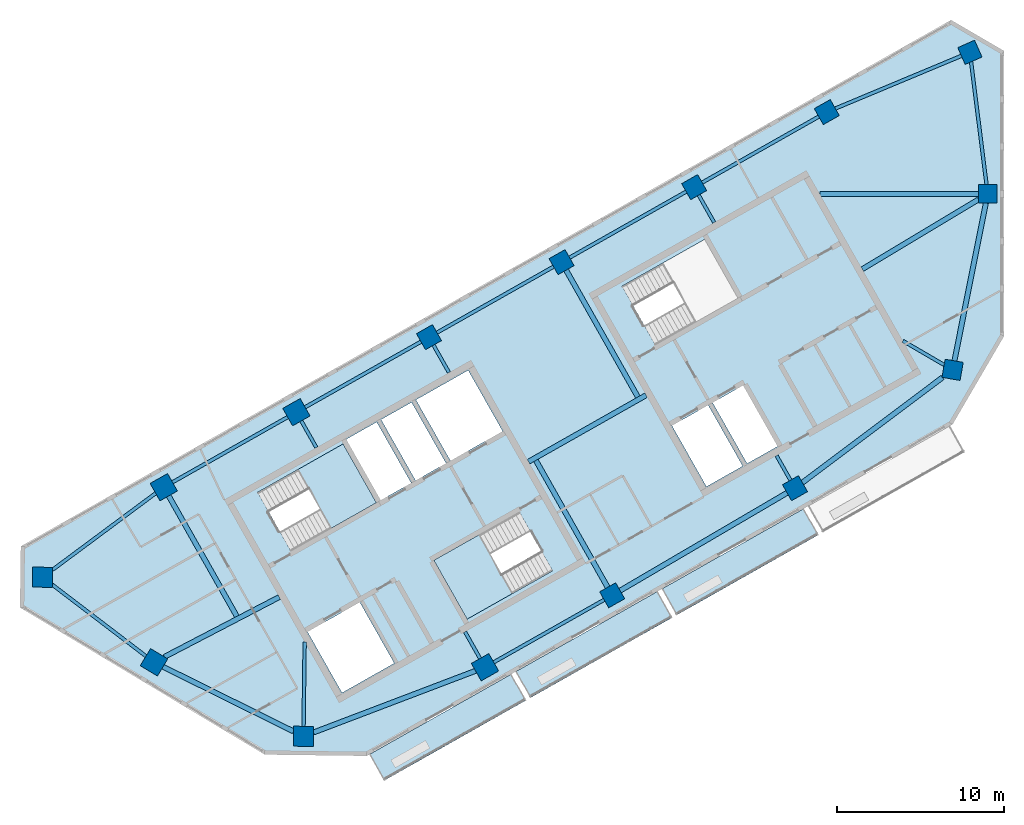
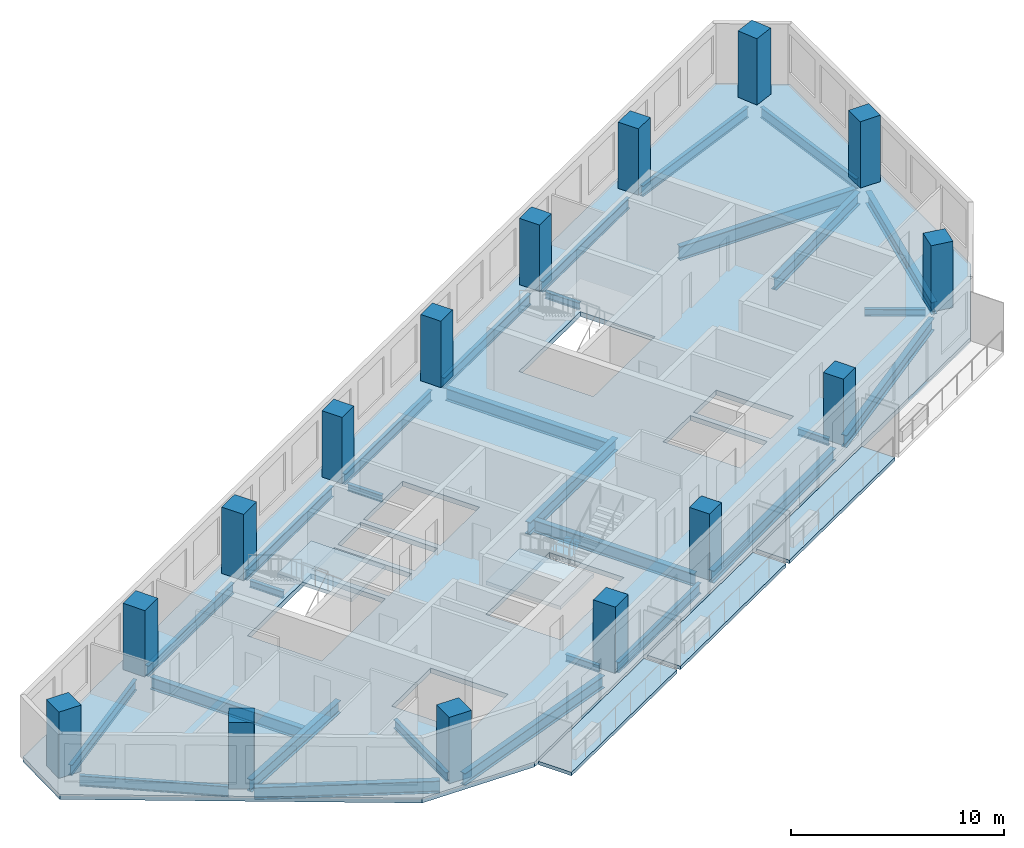
# One storey, part 1 of 7: 29 beams, 15 columns, 6 slabs, 2 elements without a shape of their own.
"""IFC4 building model written with IfcOpenShell, lengths in metres."""

from ifc_helpers import new_model, si_unit, direction, frame, origin, origin_2d, place, context, subcontext, project, spatial, polyline, rectangle, i_section, outline, extrude, material, layer, layer_set, material_profile, profile_set, type_object, element, aggregate, save


model = new_model("IFC4")

# Units and contexts
model_context = context("Model", 3, precision=1e-05, world=origin(), true_north=direction((0.0, 1.0)))
body_context = subcontext(model_context, "Body", "Model", "MODEL_VIEW")
ifc_project = project(units=[si_unit("LENGTHUNIT", "METRE"), si_unit("AREAUNIT", "SQUARE_METRE"), si_unit("VOLUMEUNIT", "CUBIC_METRE"), si_unit("PLANEANGLEUNIT", "RADIAN"), si_unit("MASSUNIT", "GRAM", prefix="KILO")], contexts=[model_context])

# Site, building, storey
site_placement = place(None, origin())
site = spatial("IfcSite", under=ifc_project, at=site_placement, CompositionType="ELEMENT")
building_placement = place(site_placement, origin())
building = spatial("IfcBuilding", under=site, at=building_placement, Name="Binnacle Exchange Tower", CompositionType="ELEMENT")
storey_placement = place(building_placement, frame((0.0, 0.0, 296.89990234375)))
storey = spatial("IfcBuildingStorey", under=building, at=storey_placement, Name="L66", CompositionType="ELEMENT", Elevation=296.89990234375)

# Columns
ifc_material_1 = material(Name="Concrete C60/75", Category="concrete")
ifc_material_profile_1 = material_profile(ifc_material_1, rectangle(XDim=1.10009765625, YDim=1.10009765625, at=origin_2d()), Name="Mega column 1100x1100 C60/75")
ifc_profile_set_1 = profile_set([ifc_material_profile_1], Name="Concrete C60/75")
column_type_1 = type_object("IfcColumnType", Name="Mega column 1100x1100 C60/75", PredefinedType="COLUMN", material=ifc_profile_set_1)
for number, where, z_axis, x_axis, name in (
    (1, (-10.4951171875, 64.901611328125, 0.0), (0.0, 0.0, 1.0), (-0.87035569594, -0.492423560103, 0.0), "S:COL:MC38:L66"),
    (2, (-18.44140625, 60.406005859375, 0.0), (0.0, 0.0, 1.0), (-0.87035569594, -0.492423560103, 0.0), "S:COL:MC29:L66"),
    (3, (-26.3876953125, 55.91015625, 0.0), (0.0, 0.0, 1.0), (-0.87035569594, -0.492423560103, 0.0), "S:COL:MC21:L66"),
    (4, (-34.333740234375, 51.414306640625, 0.0), (0.0, 0.0, 1.0), (-0.87035569594, -0.492423560103, 0.0), "S:COL:MC13:L66"),
    (5, (-23.35595703125, 35.9462890625, 0.0), (0.0, 0.0, 1.0), (0.87035569594, 0.492423560103, 0.0), "S:COL:MC16:L66"),
    (6, (-2.955322265625, 49.45556640625, 0.0), (0.0, 0.0, 1.0), (-0.98522612636, 0.171258517854, 0.0), "S:COL:MC43:L66"),
    (7, (-0.85009765625, 60.0, 0.0), (0.0, 0.0, 1.0), (0.0, 1.0, 0.0), "S:COL:MC45:L66"),
    (8, (-1.920166015625, 68.4833984375, 0.0), (0.0, 0.0, 1.0), (-0.91471298536, -0.40410413808, 0.0), "S:COL:MC44:L66"),
    (9, (-12.39990234375, 42.36328125, 0.0), (0.0, 0.0, 1.0), (0.87035569594, 0.492423560103, 0.0), "S:COL:MC30:L66"),
):
    element("IfcColumn", number, at=place(storey_placement, frame(where, z_axis=z_axis, x_axis=x_axis)), inside=storey, type_object=column_type_1, Name=name, PredefinedType="COLUMN", context=body_context, shape_type="SweptSolid", body=[
        extrude(rectangle(XDim=1.10009765625, YDim=1.10009765625, at=origin_2d()), origin(), (0.0, 0.0, 1.0), 3.800048828125),
    ])
ifc_material_profile_2 = material_profile(ifc_material_1, rectangle(XDim=1.199951171875, YDim=1.199951171875, at=origin_2d()), Name="Mega column 1200x1200 C60/75")
ifc_profile_set_2 = profile_set([ifc_material_profile_2], Name="Concrete C60/75")
column_type_2 = type_object("IfcColumnType", Name="Mega column 1200x1200 C60/75", PredefinedType="COLUMN", material=ifc_profile_set_2)
for number, where, z_axis, x_axis, name in (
    (10, (-42.280029296875, 46.918701171875, 0.0), (0.0, 0.0, 1.0), (-0.87035569594, -0.492423560103, 0.0), "S:COL:MC08:L66"),
    (11, (-50.226318359375, 42.4228515625, 0.0), (0.0, 0.0, 1.0), (-0.87035569594, -0.492423560103, 0.0), "S:COL:MC04:L66"),
    (12, (-57.492919921875, 37.02734375, 0.0), (0.0, 0.0, 1.0), (-0.013089595571, -0.999914327574, 0.0), "S:COL:MC02:L66"),
    (13, (-50.81201171875, 31.930908203125, 0.0), (0.0, 0.0, 1.0), (0.857167300702, -0.51503807491, 0.0), "S:COL:MC01:L66"),
    (14, (-41.857666015625, 27.494873046875, 0.0), (0.0, 0.0, 1.0), (0.999914327574, -0.013089595571, 0.0), "S:COL:MC03:L66"),
    (15, (-30.9755859375, 31.63525390625, 0.0), (0.0, 0.0, 1.0), (0.87035569594, 0.492423560103, 0.0), "S:COL:MC07:L66"),
):
    element("IfcColumn", number, at=place(storey_placement, frame(where, z_axis=z_axis, x_axis=x_axis)), inside=storey, type_object=column_type_2, Name=name, PredefinedType="COLUMN", context=body_context, shape_type="SweptSolid", body=[
        extrude(rectangle(XDim=1.199951171875, YDim=1.199951171875, at=origin_2d()), origin(), (0.0, 0.0, 1.0), 3.800048828125),
    ])

# Beams
ifc_material_2 = material(Name="Steel S355 (SHN355)", Category="steel")
ifc_material_profile_3 = material_profile(ifc_material_2, i_section(OverallWidth=0.199951171875, OverallDepth=0.60009765625, WebThickness=0.010986328125, FlangeThickness=0.01708984375, FilletRadius=0.02197265625, at=origin_2d()), Name="H 600x200x11x17")
ifc_profile_set_3 = profile_set([ifc_material_profile_3], Name="Steel S355 (SHN355)")
beam_type_1 = type_object("IfcBeamType", Name="Edge girder H 600x200x11x17 Steel S355 (SHN355)", PredefinedType="SPANDREL", material=ifc_profile_set_3)
beam_1_placement = place(storey_placement, frame((-56.89892578125, 36.57421875, -0.579833984375), z_axis=(0.795079526259, -0.606505191176, 0.0), x_axis=(0.606505191176, 0.795079526259, 0.0)))
element("IfcBeam", 16, at=beam_1_placement, inside=storey, type_object=beam_type_1, Name="S:BM:edge:L66:004", PredefinedType="SPANDREL", context=body_context, shape_type="SweptSolid", body=[
    extrude(i_section(OverallWidth=0.199951171875, OverallDepth=0.60009765625, WebThickness=0.010986328125, FlangeThickness=0.01708984375, FilletRadius=0.02197265625, at=origin_2d()), origin(), (0.0, 0.0, 1.0), 7.052001953125),
])
ifc_material_profile_4 = material_profile(ifc_material_2, i_section(OverallWidth=0.200927734375, OverallDepth=0.60595703125, WebThickness=0.011962890625, FlangeThickness=0.02001953125, FilletRadius=0.02197265625, at=origin_2d()), Name="H 606x201x12x20")
ifc_profile_set_4 = profile_set([ifc_material_profile_4], Name="Steel S355 (SHN355)")
beam_type_2 = type_object("IfcBeamType", Name="Edge girder H 606x201x12x20 Steel S355 (SHN355)", PredefinedType="SPANDREL", material=ifc_profile_set_4)
beam_2_placement = place(storey_placement, frame((-50.711669921875, 42.0625, -0.5830078125), z_axis=(-0.802889255085, -0.596128211099, 0.0), x_axis=(0.596128211099, -0.802889255085, 0.0)))
element("IfcBeam", 17, at=beam_2_placement, inside=storey, type_object=beam_type_2, Name="S:BM:edge:L66:005", PredefinedType="SPANDREL", context=body_context, shape_type="SweptSolid", body=[
    extrude(i_section(OverallWidth=0.200927734375, OverallDepth=0.60595703125, WebThickness=0.011962890625, FlangeThickness=0.02001953125, FilletRadius=0.02197265625, at=origin_2d()), origin(), (0.0, 0.0, 1.0), 7.691650390625),
])
beam_3_placement = place(storey_placement, frame((-30.453369140625, 31.930908203125, -0.5830078125), z_axis=(0.870370831478, 0.49239680717, 0.0), x_axis=(-0.49239680717, 0.870370831478, 0.0)))
element("IfcBeam", 18, at=beam_3_placement, inside=storey, type_object=beam_type_2, Name="S:BM:edge:L66:010", PredefinedType="SPANDREL", context=body_context, shape_type="SweptSolid", body=[
    extrude(i_section(OverallWidth=0.200927734375, OverallDepth=0.60595703125, WebThickness=0.011962890625, FlangeThickness=0.02001953125, FilletRadius=0.02197265625, at=origin_2d()), origin(), (0.0, 0.0, 1.0), 7.6044921875),
])
beam_4_placement = place(storey_placement, frame((-0.91943359375, 60.550048828125, -0.5830078125), z_axis=(-0.125160121745, 0.992136555079, 0.0), x_axis=(-0.992136555079, -0.125160121745, 0.0)))
element("IfcBeam", 19, at=beam_4_placement, inside=storey, type_object=beam_type_2, Name="S:BM:edge:L66:018", PredefinedType="SPANDREL", context=body_context, shape_type="SweptSolid", body=[
    extrude(i_section(OverallWidth=0.200927734375, OverallDepth=0.60595703125, WebThickness=0.011962890625, FlangeThickness=0.02001953125, FilletRadius=0.02197265625, at=origin_2d()), origin(), (0.0, 0.0, 1.0), 7.422119140625),
])
ifc_material_profile_5 = material_profile(ifc_material_2, i_section(OverallWidth=0.201904296875, OverallDepth=0.612060546875, WebThickness=0.012939453125, FlangeThickness=0.02294921875, FilletRadius=0.02197265625, at=origin_2d()), Name="H 612x202x13x23")
ifc_profile_set_5 = profile_set([ifc_material_profile_5], Name="Steel S355 (SHN355)")
beam_type_3 = type_object("IfcBeamType", Name="Edge girder H 612x202x13x23 Steel S355 (SHN355)", PredefinedType="SPANDREL", material=ifc_profile_set_5)
beam_5_placement = place(storey_placement, frame((-42.80224609375, 46.623291015625, -0.5859375), z_axis=(-0.870360926906, -0.492414314288, 0.0), x_axis=(0.492414314288, -0.870360926906, 0.0)))
element("IfcBeam", 20, at=beam_5_placement, inside=storey, type_object=beam_type_3, Name="S:BM:edge:L66:007", PredefinedType="SPANDREL", context=body_context, shape_type="SweptSolid", body=[
    extrude(i_section(OverallWidth=0.201904296875, OverallDepth=0.612060546875, WebThickness=0.012939453125, FlangeThickness=0.02294921875, FilletRadius=0.02197265625, at=origin_2d()), origin(), (0.0, 0.0, 1.0), 7.929931640625),
])
beam_6_placement = place(storey_placement, frame((-34.8125, 51.1435546875, -0.5859375), z_axis=(-0.870357059543, -0.492421149935, 0.0), x_axis=(0.492421149935, -0.870357059543, 0.0)))
element("IfcBeam", 21, at=beam_6_placement, inside=storey, type_object=beam_type_3, Name="S:BM:edge:L66:009", PredefinedType="SPANDREL", context=body_context, shape_type="SweptSolid", body=[
    extrude(i_section(OverallWidth=0.201904296875, OverallDepth=0.612060546875, WebThickness=0.012939453125, FlangeThickness=0.02294921875, FilletRadius=0.02197265625, at=origin_2d()), origin(), (0.0, 0.0, 1.0), 7.979736328125),
])
beam_7_placement = place(storey_placement, frame((-26.8662109375, 55.639404296875, -0.5859375), z_axis=(-0.870353240257, -0.492427900482, 0.0), x_axis=(0.492427900482, -0.870353240257, 0.0)))
element("IfcBeam", 22, at=beam_7_placement, inside=storey, type_object=beam_type_3, Name="S:BM:edge:L66:011", PredefinedType="SPANDREL", context=body_context, shape_type="SweptSolid", body=[
    extrude(i_section(OverallWidth=0.201904296875, OverallDepth=0.612060546875, WebThickness=0.012939453125, FlangeThickness=0.02294921875, FilletRadius=0.02197265625, at=origin_2d()), origin(), (0.0, 0.0, 1.0), 8.02978515625),
])
beam_8_placement = place(storey_placement, frame((-18.919921875, 60.13525390625, -0.5859375), z_axis=(-0.870347582166, -0.492437900875, 0.0), x_axis=(0.492437900875, -0.870347582166, 0.0)))
element("IfcBeam", 23, at=beam_8_placement, inside=storey, type_object=beam_type_3, Name="S:BM:edge:L66:013", PredefinedType="SPANDREL", context=body_context, shape_type="SweptSolid", body=[
    extrude(i_section(OverallWidth=0.201904296875, OverallDepth=0.612060546875, WebThickness=0.012939453125, FlangeThickness=0.02294921875, FilletRadius=0.02197265625, at=origin_2d()), origin(), (0.0, 0.0, 1.0), 8.030029296875),
])
beam_9_placement = place(storey_placement, frame((-10.973876953125, 64.630859375, -0.5859375), z_axis=(-0.870353240257, -0.492427900482, 0.0), x_axis=(0.492427900482, -0.870353240257, 0.0)))
element("IfcBeam", 24, at=beam_9_placement, inside=storey, type_object=beam_type_3, Name="S:BM:edge:L66:015", PredefinedType="SPANDREL", context=body_context, shape_type="SweptSolid", body=[
    extrude(i_section(OverallWidth=0.201904296875, OverallDepth=0.612060546875, WebThickness=0.012939453125, FlangeThickness=0.02294921875, FilletRadius=0.02197265625, at=origin_2d()), origin(), (0.0, 0.0, 1.0), 8.02978515625),
])
beam_10_placement = place(storey_placement, frame((-2.427734375, 68.271240234375, -0.5859375), z_axis=(-0.922746687756, -0.385406992977, 0.0), x_axis=(0.385406992977, -0.922746687756, 0.0)))
element("IfcBeam", 25, at=beam_10_placement, inside=storey, type_object=beam_type_3, Name="S:BM:edge:L66:017", PredefinedType="SPANDREL", context=body_context, shape_type="SweptSolid", body=[
    extrude(i_section(OverallWidth=0.201904296875, OverallDepth=0.612060546875, WebThickness=0.012939453125, FlangeThickness=0.02294921875, FilletRadius=0.02197265625, at=origin_2d()), origin(), (0.0, 0.0, 1.0), 8.188720703125),
])
ifc_material_profile_6 = material_profile(ifc_material_2, i_section(OverallWidth=0.300048828125, OverallDepth=0.699951171875, WebThickness=0.012939453125, FlangeThickness=0.02392578125, FilletRadius=0.028076171875, at=origin_2d()), Name="H 700x300x13x24")
ifc_profile_set_6 = profile_set([ifc_material_profile_6], Name="Steel S355 (SHN355)")
beam_type_4 = type_object("IfcBeamType", Name="Edge girder H 700x300x13x24 Steel S355 (SHN355)", PredefinedType="SPANDREL", material=ifc_profile_set_6)
beam_11_placement = place(storey_placement, frame((-50.272705078125, 31.663818359375, -0.6298828125), z_axis=(0.896066323919, -0.443920199066, 0.0), x_axis=(0.443920199066, 0.896066323919, 0.0)))
element("IfcBeam", 26, at=beam_11_placement, inside=storey, type_object=beam_type_4, Name="S:BM:edge:L66:006", PredefinedType="SPANDREL", context=body_context, shape_type="SweptSolid", body=[
    extrude(i_section(OverallWidth=0.300048828125, OverallDepth=0.699951171875, WebThickness=0.012939453125, FlangeThickness=0.02392578125, FilletRadius=0.028076171875, at=origin_2d()), origin(), (0.0, 0.0, 1.0), 8.725830078125),
])
beam_12_placement = place(storey_placement, frame((-41.254638671875, 27.724365234375, -0.6298828125), z_axis=(0.934635421438, 0.355607408519, 0.0), x_axis=(-0.355607408519, 0.934635421438, 0.0)))
element("IfcBeam", 27, at=beam_12_placement, inside=storey, type_object=beam_type_4, Name="S:BM:edge:L66:008", PredefinedType="SPANDREL", context=body_context, shape_type="SweptSolid", body=[
    extrude(i_section(OverallWidth=0.300048828125, OverallDepth=0.699951171875, WebThickness=0.012939453125, FlangeThickness=0.02392578125, FilletRadius=0.028076171875, at=origin_2d()), origin(), (0.0, 0.0, 1.0), 10.390869140625),
])
beam_13_placement = place(storey_placement, frame((-11.95654296875, 42.6962890625, -0.6298828125), z_axis=(0.799642767002, 0.600476015493, 0.0), x_axis=(-0.600476015493, 0.799642767002, 0.0)))
element("IfcBeam", 28, at=beam_13_placement, inside=storey, type_object=beam_type_4, Name="S:BM:edge:L66:014", PredefinedType="SPANDREL", context=body_context, shape_type="SweptSolid", body=[
    extrude(i_section(OverallWidth=0.300048828125, OverallDepth=0.699951171875, WebThickness=0.012939453125, FlangeThickness=0.02392578125, FilletRadius=0.028076171875, at=origin_2d()), origin(), (0.0, 0.0, 1.0), 10.50146484375),
])
beam_14_placement = place(storey_placement, frame((-2.84765625, 49.9951171875, -0.6298828125), z_axis=(0.195814210945, 0.980641012191, 0.0), x_axis=(-0.980641012191, 0.195814210945, 0.0)))
element("IfcBeam", 29, at=beam_14_placement, inside=storey, type_object=beam_type_4, Name="S:BM:edge:L66:016", PredefinedType="SPANDREL", context=body_context, shape_type="SweptSolid", body=[
    extrude(i_section(OverallWidth=0.300048828125, OverallDepth=0.699951171875, WebThickness=0.012939453125, FlangeThickness=0.02392578125, FilletRadius=0.028076171875, at=origin_2d()), origin(), (0.0, 0.0, 1.0), 9.6416015625),
])
ifc_material_profile_7 = material_profile(ifc_material_2, i_section(OverallWidth=0.302001953125, OverallDepth=0.7080078125, WebThickness=0.014892578125, FlangeThickness=0.028076171875, FilletRadius=0.028076171875, at=origin_2d()), Name="H 708x302x15x28")
ifc_profile_set_7 = profile_set([ifc_material_profile_7], Name="Steel S355 (SHN355)")
beam_type_5 = type_object("IfcBeamType", Name="Edge girder H 708x302x15x28 Steel S355 (SHN355)", PredefinedType="SPANDREL", material=ifc_profile_set_7)
beam_15_placement = place(storey_placement, frame((-22.88134765625, 36.22412109375, -0.6337890625), z_axis=(0.86288572191, 0.50539908085, 0.0), x_axis=(-0.50539908085, 0.86288572191, 0.0)))
element("IfcBeam", 30, at=beam_15_placement, inside=storey, type_object=beam_type_5, Name="S:BM:edge:L66:012", PredefinedType="SPANDREL", context=body_context, shape_type="SweptSolid", body=[
    extrude(i_section(OverallWidth=0.302001953125, OverallDepth=0.7080078125, WebThickness=0.014892578125, FlangeThickness=0.028076171875, FilletRadius=0.028076171875, at=origin_2d()), origin(), (0.0, 0.0, 1.0), 11.596923828125),
])
ifc_material_profile_8 = material_profile(ifc_material_2, i_section(OverallWidth=0.199951171875, OverallDepth=0.39990234375, WebThickness=0.008056640625, FlangeThickness=0.012939453125, FilletRadius=0.01611328125, at=origin_2d()), Name="H 400x200x8x13")
ifc_profile_set_8 = profile_set([ifc_material_profile_8], Name="Steel S355 (SHN355)")
beam_type_6 = type_object("IfcBeamType", Name="Floor beam H 400x200x8x13 Steel S355 (SHN355)", PredefinedType="BEAM", material=ifc_profile_set_8)
beam_16_placement = place(storey_placement, frame((-41.984619140625, 46.396484375, -0.47998046875), z_axis=(0.492465079532, -0.87033220407, 0.0), x_axis=(0.87033220407, 0.492465079532, 0.0)))
element("IfcBeam", 31, at=beam_16_placement, inside=storey, type_object=beam_type_6, Name="S:BM:cross:L66:020", PredefinedType="BEAM", context=body_context, shape_type="SweptSolid", body=[
    extrude(i_section(OverallWidth=0.199951171875, OverallDepth=0.39990234375, WebThickness=0.008056640625, FlangeThickness=0.012939453125, FilletRadius=0.01611328125, at=origin_2d()), origin(), (0.0, 0.0, 1.0), 1.834228515625),
])
beam_17_placement = place(storey_placement, frame((-34.06298828125, 50.935791015625, -0.47998046875), z_axis=(0.492437150105, -0.870348006947, 0.0), x_axis=(0.870348006947, 0.492437150105, 0.0)))
element("IfcBeam", 32, at=beam_17_placement, inside=storey, type_object=beam_type_6, Name="S:BM:cross:L66:022", PredefinedType="BEAM", context=body_context, shape_type="SweptSolid", body=[
    extrude(i_section(OverallWidth=0.199951171875, OverallDepth=0.39990234375, WebThickness=0.008056640625, FlangeThickness=0.012939453125, FilletRadius=0.01611328125, at=origin_2d()), origin(), (0.0, 0.0, 1.0), 1.884521484375),
])
beam_18_placement = place(storey_placement, frame((-31.27099609375, 32.157470703125, -0.47998046875), z_axis=(-0.492465079532, 0.87033220407, 0.0), x_axis=(-0.87033220407, -0.492465079532, 0.0)))
element("IfcBeam", 33, at=beam_18_placement, inside=storey, type_object=beam_type_6, Name="S:BM:cross:L66:023", PredefinedType="BEAM", context=body_context, shape_type="SweptSolid", body=[
    extrude(i_section(OverallWidth=0.199951171875, OverallDepth=0.39990234375, WebThickness=0.008056640625, FlangeThickness=0.012939453125, FilletRadius=0.01611328125, at=origin_2d()), origin(), (0.0, 0.0, 1.0), 1.834228515625),
])
beam_19_placement = place(storey_placement, frame((-18.17041015625, 59.92724609375, -0.47998046875), z_axis=(0.492394529663, -0.870372119934, 0.0), x_axis=(0.870372119934, 0.492394529663, 0.0)))
element("IfcBeam", 34, at=beam_19_placement, inside=storey, type_object=beam_type_6, Name="S:BM:cross:L66:026", PredefinedType="BEAM", context=body_context, shape_type="SweptSolid", body=[
    extrude(i_section(OverallWidth=0.199951171875, OverallDepth=0.39990234375, WebThickness=0.008056640625, FlangeThickness=0.012939453125, FilletRadius=0.01611328125, at=origin_2d()), origin(), (0.0, 0.0, 1.0), 1.884033203125),
])
beam_20_placement = place(storey_placement, frame((-12.6708984375, 42.841796875, -0.47998046875), z_axis=(-0.492394350893, 0.870372221069, 0.0), x_axis=(-0.870372221069, -0.492394350893, 0.0)))
element("IfcBeam", 35, at=beam_20_placement, inside=storey, type_object=beam_type_6, Name="S:BM:cross:L66:027", PredefinedType="BEAM", context=body_context, shape_type="SweptSolid", body=[
    extrude(i_section(OverallWidth=0.199951171875, OverallDepth=0.39990234375, WebThickness=0.008056640625, FlangeThickness=0.012939453125, FilletRadius=0.01611328125, at=origin_2d()), origin(), (0.0, 0.0, 1.0), 1.6943359375),
])
beam_21_placement = place(storey_placement, frame((-3.46240234375, 49.751220703125, -0.47998046875), z_axis=(-0.863840862356, 0.503764790874, 0.0), x_axis=(-0.503764790874, -0.863840862356, 0.0)))
element("IfcBeam", 36, at=beam_21_placement, inside=storey, type_object=beam_type_6, Name="S:BM:cross:L66:028", PredefinedType="BEAM", context=body_context, shape_type="SweptSolid", body=[
    extrude(i_section(OverallWidth=0.199951171875, OverallDepth=0.39990234375, WebThickness=0.008056640625, FlangeThickness=0.012939453125, FilletRadius=0.01611328125, at=origin_2d()), origin(), (0.0, 0.0, 1.0), 2.85791015625),
])
ifc_material_profile_9 = material_profile(ifc_material_2, i_section(OverallWidth=0.200927734375, OverallDepth=0.506103515625, WebThickness=0.010986328125, FlangeThickness=0.01904296875, FilletRadius=0.02001953125, at=origin_2d()), Name="H 506x201x11x19")
ifc_profile_set_9 = profile_set([ifc_material_profile_9], Name="Steel S355 (SHN355)")
beam_type_7 = type_object("IfcBeamType", Name="Floor beam H 506x201x11x19 Steel S355 (SHN355)", PredefinedType="BEAM", material=ifc_profile_set_9)
beam_22_placement = place(storey_placement, frame((-41.849853515625, 28.0947265625, -0.532958984375), z_axis=(0.013099523714, 0.999914197558, 0.0), x_axis=(-0.999914197558, 0.013099523714, 0.0)))
element("IfcBeam", 37, at=beam_22_placement, inside=storey, type_object=beam_type_7, Name="S:BM:cross:L66:021", PredefinedType="BEAM", context=body_context, shape_type="SweptSolid", body=[
    extrude(i_section(OverallWidth=0.200927734375, OverallDepth=0.506103515625, WebThickness=0.010986328125, FlangeThickness=0.01904296875, FilletRadius=0.02001953125, at=origin_2d()), origin(), (0.0, 0.0, 1.0), 5.05078125),
])
ifc_material_profile_10 = material_profile(ifc_material_2, i_section(OverallWidth=0.300048828125, OverallDepth=0.699951171875, WebThickness=0.012939453125, FlangeThickness=0.02392578125, FilletRadius=0.028076171875, at=origin_2d()), Name="H 700x300x13x24")
ifc_profile_set_10 = profile_set([ifc_material_profile_10], Name="Steel S355 (SHN355)")
beam_type_8 = type_object("IfcBeamType", Name="Floor beam H 700x300x13x24 Steel S355 (SHN355)", PredefinedType="BEAM", material=ifc_profile_set_10)
beam_23_placement = place(storey_placement, frame((-49.9306640625, 41.900634765625, -0.6298828125), z_axis=(0.492421066821, -0.870357106566, 0.0), x_axis=(0.870357106566, 0.492421066821, 0.0)))
element("IfcBeam", 38, at=beam_23_placement, inside=storey, type_object=beam_type_8, Name="S:BM:cross:L66:019", PredefinedType="BEAM", context=body_context, shape_type="SweptSolid", body=[
    extrude(i_section(OverallWidth=0.300048828125, OverallDepth=0.699951171875, WebThickness=0.012939453125, FlangeThickness=0.02392578125, FilletRadius=0.028076171875, at=origin_2d()), origin(), (0.0, 0.0, 1.0), 8.291259765625),
])
ifc_material_profile_11 = material_profile(ifc_material_2, i_section(OverallWidth=0.302001953125, OverallDepth=0.7080078125, WebThickness=0.014892578125, FlangeThickness=0.028076171875, FilletRadius=0.028076171875, at=origin_2d()), Name="H 708x302x15x28")
ifc_profile_set_11 = profile_set([ifc_material_profile_11], Name="Steel S355 (SHN355)")
beam_type_9 = type_object("IfcBeamType", Name="Floor beam H 708x302x15x28 Steel S355 (SHN355)", PredefinedType="BEAM", material=ifc_profile_set_11)
beam_24_placement = place(storey_placement, frame((-26.11669921875, 55.431396484375, -0.6337890625), z_axis=(0.492413671625, -0.870361290497, 0.0), x_axis=(0.870361290497, 0.492413671625, 0.0)))
element("IfcBeam", 39, at=beam_24_placement, inside=storey, type_object=beam_type_9, Name="S:BM:cross:L66:024", PredefinedType="BEAM", context=body_context, shape_type="SweptSolid", body=[
    extrude(i_section(OverallWidth=0.302001953125, OverallDepth=0.7080078125, WebThickness=0.014892578125, FlangeThickness=0.028076171875, FilletRadius=0.028076171875, at=origin_2d()), origin(), (0.0, 0.0, 1.0), 8.734130859375),
])
beam_25_placement = place(storey_placement, frame((-23.626708984375, 36.4248046875, -0.6337890625), z_axis=(-0.492422866295, 0.870356088477, 0.0), x_axis=(-0.870356088477, -0.492422866295, 0.0)))
element("IfcBeam", 40, at=beam_25_placement, inside=storey, type_object=beam_type_9, Name="S:BM:cross:L66:025", PredefinedType="BEAM", context=body_context, shape_type="SweptSolid", body=[
    extrude(i_section(OverallWidth=0.302001953125, OverallDepth=0.7080078125, WebThickness=0.014892578125, FlangeThickness=0.028076171875, FilletRadius=0.028076171875, at=origin_2d()), origin(), (0.0, 0.0, 1.0), 8.734375),
])
ifc_material_profile_12 = material_profile(ifc_material_2, i_section(OverallWidth=0.300048828125, OverallDepth=0.800048828125, WebThickness=0.013916015625, FlangeThickness=0.02587890625, FilletRadius=0.028076171875, at=origin_2d()), Name="H 800x300x14x26")
ifc_profile_set_12 = profile_set([ifc_material_profile_12], Name="Steel S355 (SHN355)")
beam_type_10 = type_object("IfcBeamType", Name="Floor beam H 800x300x14x26 Steel S355 (SHN355)", PredefinedType="BEAM", material=ifc_profile_set_12)
beam_26_placement = place(storey_placement, frame((-1.39990234375, 60.0, -0.679931640625), z_axis=(-1.0, 0.0, 0.0), x_axis=(0.0, -1.0, 0.0)))
element("IfcBeam", 41, at=beam_26_placement, inside=storey, type_object=beam_type_10, Name="S:BM:cross:L66:029", PredefinedType="BEAM", context=body_context, shape_type="SweptSolid", body=[
    extrude(i_section(OverallWidth=0.300048828125, OverallDepth=0.800048828125, WebThickness=0.013916015625, FlangeThickness=0.02587890625, FilletRadius=0.028076171875, at=origin_2d()), origin(), (0.0, 0.0, 1.0), 9.51513671875),
])
ifc_material_profile_13 = material_profile(ifc_material_2, i_section(OverallWidth=0.300048828125, OverallDepth=0.699951171875, WebThickness=0.012939453125, FlangeThickness=0.02392578125, FilletRadius=0.028076171875, at=origin_2d()), Name="H 700x300x13x24")
ifc_profile_set_13 = profile_set([ifc_material_profile_13], Name="Steel S355 (SHN355)")
beam_type_11 = type_object("IfcBeamType", Name="Spine girder H 700x300x13x24 Steel S355 (SHN355)", PredefinedType="BEAM", material=ifc_profile_set_13)
beam_27_placement = place(storey_placement, frame((-50.18798828125, 32.255859375, -0.6298828125), z_axis=(0.886980159322, 0.461807532387, 0.0), x_axis=(-0.461807532387, 0.886980159322, 0.0)))
element("IfcBeam", 42, at=beam_27_placement, inside=storey, type_object=beam_type_11, Name="S:BM:spine:L66:001", PredefinedType="BEAM", context=body_context, shape_type="SweptSolid", body=[
    extrude(i_section(OverallWidth=0.300048828125, OverallDepth=0.699951171875, WebThickness=0.012939453125, FlangeThickness=0.02392578125, FilletRadius=0.028076171875, at=origin_2d()), origin(), (0.0, 0.0, 1.0), 7.757080078125),
])
beam_28_placement = place(storey_placement, frame((-8.36328125, 55.489990234375, -0.6298828125), z_axis=(0.857389464427, 0.514668151618, 0.0), x_axis=(-0.514668151618, 0.857389464427, 0.0)))
element("IfcBeam", 43, at=beam_28_placement, inside=storey, type_object=beam_type_11, Name="S:BM:spine:L66:003", PredefinedType="BEAM", context=body_context, shape_type="SweptSolid", body=[
    extrude(i_section(OverallWidth=0.300048828125, OverallDepth=0.699951171875, WebThickness=0.012939453125, FlangeThickness=0.02392578125, FilletRadius=0.028076171875, at=origin_2d()), origin(), (0.0, 0.0, 1.0), 8.12158203125),
])
ifc_material_profile_14 = material_profile(ifc_material_2, i_section(OverallWidth=0.302001953125, OverallDepth=0.7080078125, WebThickness=0.014892578125, FlangeThickness=0.028076171875, FilletRadius=0.028076171875, at=origin_2d()), Name="H 708x302x15x28")
ifc_profile_set_14 = profile_set([ifc_material_profile_14], Name="Steel S355 (SHN355)")
beam_type_12 = type_object("IfcBeamType", Name="Spine girder H 708x302x15x28 Steel S355 (SHN355)", PredefinedType="BEAM", material=ifc_profile_set_14)
beam_29_placement = place(storey_placement, frame((-28.365478515625, 43.951416015625, -0.6337890625), z_axis=(0.870350319004, 0.492433063684, 0.0), x_axis=(-0.492433063684, 0.870350319004, 0.0)))
element("IfcBeam", 44, at=beam_29_placement, inside=storey, type_object=beam_type_12, Name="S:BM:spine:L66:002", PredefinedType="BEAM", context=body_context, shape_type="SweptSolid", body=[
    extrude(i_section(OverallWidth=0.302001953125, OverallDepth=0.7080078125, WebThickness=0.014892578125, FlangeThickness=0.028076171875, FilletRadius=0.028076171875, at=origin_2d()), origin(), (0.0, 0.0, 1.0), 8.0908203125),
])

# Slabs
ifc_material_3 = material(Name="Concrete C35/45", Category="concrete")
ifc_layer_1 = layer(ifc_material_3, 0.199951171875)
ifc_layer_set_1 = layer_set([ifc_layer_1], Name="BALCONY SLAB 200")
slab_type_1 = type_object("IfcSlabType", Name="BALCONY SLAB 200", PredefinedType="FLOOR", material=ifc_layer_set_1)
slab_1_placement = place(storey_placement, frame((0.0, 0.0, -0.199951171875)))
element("IfcSlab", 45, at=slab_1_placement, inside=storey, type_object=slab_type_1, Name="Balcony BA-H07-00 L66", PredefinedType="FLOOR", context=body_context, shape_type="SweptSolid", body=[
    extrude(outline(polyline([(-37.90576171875, 26.410400390625), (-29.40380859375, 31.220458984375), (-28.517578125, 29.65380859375), (-37.019287109375, 24.84375), (-37.90576171875, 26.410400390625)])), origin(), (0.0, 0.0, 1.0), 0.199951171875),
])
slab_2_placement = place(storey_placement, frame((0.0, 0.0, -0.199951171875)))
element("IfcSlab", 46, at=slab_2_placement, inside=storey, type_object=slab_type_1, Name="Balcony BA-H07-01 L66", PredefinedType="FLOOR", context=body_context, shape_type="SweptSolid", body=[
    extrude(outline(polyline([(-29.142822265625, 31.3681640625), (-20.64111328125, 36.17822265625), (-19.754638671875, 34.611572265625), (-28.25634765625, 29.801513671875), (-29.142822265625, 31.3681640625)])), origin(), (0.0, 0.0, 1.0), 0.199951171875),
])
slab_3_placement = place(storey_placement, frame((0.0, 0.0, -0.199951171875)))
element("IfcSlab", 47, at=slab_3_placement, inside=storey, type_object=slab_type_1, Name="Balcony BA-H07-02 L66", PredefinedType="FLOOR", context=body_context, shape_type="SweptSolid", body=[
    extrude(outline(polyline([(-20.3798828125, 36.325927734375), (-11.878173828125, 41.135986328125), (-10.99169921875, 39.5693359375), (-19.493408203125, 34.759521484375), (-20.3798828125, 36.325927734375)])), origin(), (0.0, 0.0, 1.0), 0.199951171875),
])
ifc_layer_2 = layer(ifc_material_3, 0.280029296875)
ifc_layer_set_2 = layer_set([ifc_layer_2], Name="Floor slab 280 Concrete C35/45")
slab_type_2 = type_object("IfcSlabType", Name="Floor slab 280 Concrete C35/45", PredefinedType="FLOOR", material=ifc_layer_set_2)
slab_4_placement = place(storey_placement, frame((0.0, 0.0, -0.27978515625)))
element("IfcSlab", 48, at=slab_4_placement, inside=storey, type_object=slab_type_2, Name="S:SL:L66:01", PredefinedType="FLOOR", context=body_context, shape_type="SweptSolid", body=[
    extrude(outline(polyline([(-38.097900390625, 26.4453125), (-44.14404296875, 26.5244140625), (-58.716064453125, 35.280029296875), (-58.669921875, 38.80615234375), (-3.046142578125, 70.276611328125), (0.0, 68.5), (0.0, 51.5), (-3.046142578125, 46.276611328125), (-38.097900390625, 26.4453125)]), holes=[polyline([(-38.4794921875, 35.529296875), (-41.61279296875, 33.756591796875), (-39.544677734375, 30.10107421875), (-36.411376953125, 31.873779296875), (-38.4794921875, 35.529296875)]), polyline([(-32.04638671875, 34.515625), (-26.9287109375, 37.4111328125), (-28.923095703125, 40.93603515625), (-34.040771484375, 38.04052734375), (-32.04638671875, 34.515625)]), polyline([(-39.480712890625, 45.01611328125), (-44.598388671875, 42.12060546875), (-42.604248046875, 38.595703125), (-37.486572265625, 41.4912109375), (-39.480712890625, 45.01611328125)]), polyline([(-37.4658203125, 46.32861328125), (-39.293701171875, 45.29443359375), (-37.225341796875, 41.638916015625), (-35.397705078125, 42.673095703125), (-37.4658203125, 46.32861328125)]), polyline([(-17.598876953125, 47.343017578125), (-19.77490234375, 46.11181640625), (-17.70654296875, 42.456298828125), (-15.53076171875, 43.6875), (-17.598876953125, 47.343017578125)]), polyline([(-35.376953125, 47.51025390625), (-37.20458984375, 46.476318359375), (-35.136474609375, 42.82080078125), (-33.308837890625, 43.854736328125), (-35.376953125, 47.51025390625)]), polyline([(-15.510009765625, 48.52490234375), (-17.337890625, 47.49072265625), (-15.26953125, 43.835205078125), (-13.44189453125, 44.869384765625), (-15.510009765625, 48.52490234375)]), polyline([(-29.914306640625, 45.775390625), (-31.982666015625, 49.430908203125), (-35.115966796875, 47.657958984375), (-33.047607421875, 44.00244140625), (-29.914306640625, 45.775390625)]), polyline([(-15.822509765625, 53.748046875), (-17.81689453125, 57.27294921875), (-22.760498046875, 54.47607421875), (-20.76611328125, 50.950927734375), (-15.822509765625, 53.748046875)])]), origin(), (0.0, 0.0, 1.0), 0.27978515625),
])

# Stair, slab
stair_type = type_object("IfcStairType", Name="STAIR 22 RISERS 173", PredefinedType="HALF_TURN_STAIR", material=ifc_material_3)
stair_1_placement = place(storey_placement, origin())
stair_1 = element("IfcStair", 49, at=stair_1_placement, inside=storey, type_object=stair_type, Name="L66 Escape stair A1", PredefinedType="HALF_TURN_STAIR")
ifc_layer_3 = layer(ifc_material_3, 0.199951171875)
ifc_layer_set_3 = layer_set([ifc_layer_3], Name="STAIR LANDING 200")
slab_type_3 = type_object("IfcSlabType", Name="STAIR LANDING 200", PredefinedType="LANDING", material=ifc_layer_set_3)
slab_5_placement = place(storey_placement, frame((0.0, 0.0, 1.7001953125)))
slab_5 = element("IfcSlab", 50, at=slab_5_placement, type_object=slab_type_3, Name="STA1 landing 1", PredefinedType="LANDING", context=body_context, shape_type="SweptSolid", body=[
    extrude(outline(polyline([(-40.2021484375, 39.954833984375), (-37.486572265625, 41.4912109375), (-39.48095703125, 45.01611328125), (-42.1962890625, 43.479736328125), (-40.2021484375, 39.954833984375)])), origin(), (0.0, 0.0, 1.0), 0.199951171875),
])
aggregate(stair_1, [slab_5])

stair_2_placement = place(storey_placement, origin())
stair_2 = element("IfcStair", 51, at=stair_2_placement, inside=storey, type_object=stair_type, Name="L66 Escape stair A2", PredefinedType="HALF_TURN_STAIR")
slab_6_placement = place(storey_placement, frame((0.0, 0.0, 1.7001953125)))
slab_6 = element("IfcSlab", 52, at=slab_6_placement, type_object=slab_type_3, Name="STA2 landing 1", PredefinedType="LANDING", context=body_context, shape_type="SweptSolid", body=[
    extrude(outline(polyline([(-31.3251953125, 39.576904296875), (-34.040771484375, 38.04052734375), (-32.04638671875, 34.515625), (-29.330810546875, 36.052001953125), (-31.3251953125, 39.576904296875)])), origin(), (0.0, 0.0, 1.0), 0.199951171875),
])
aggregate(stair_2, [slab_6])

save(model, "model.ifc")
